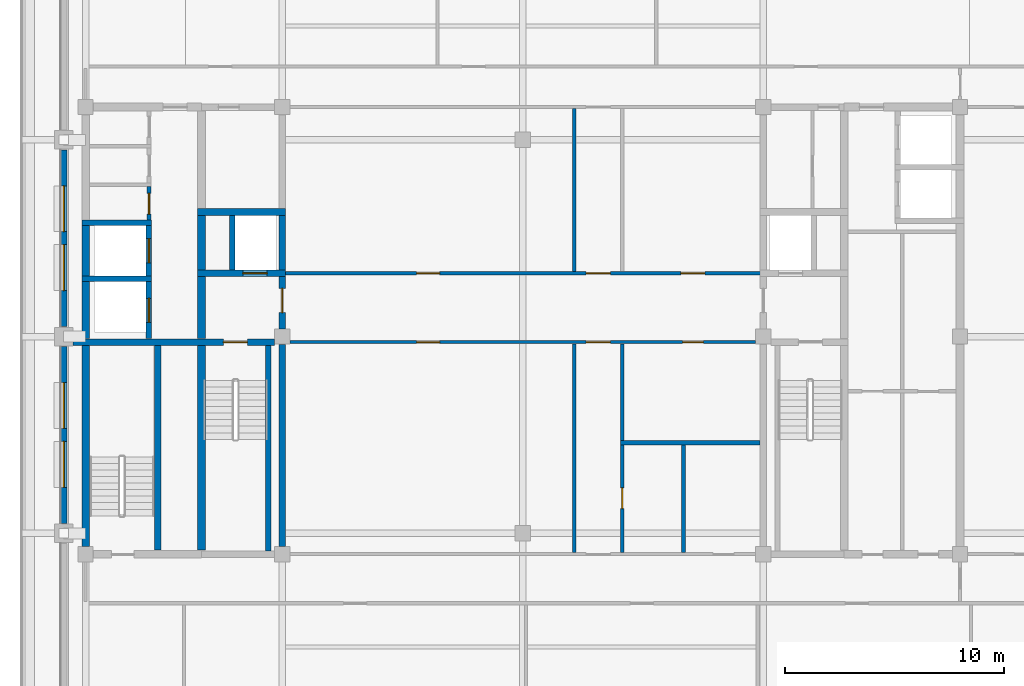
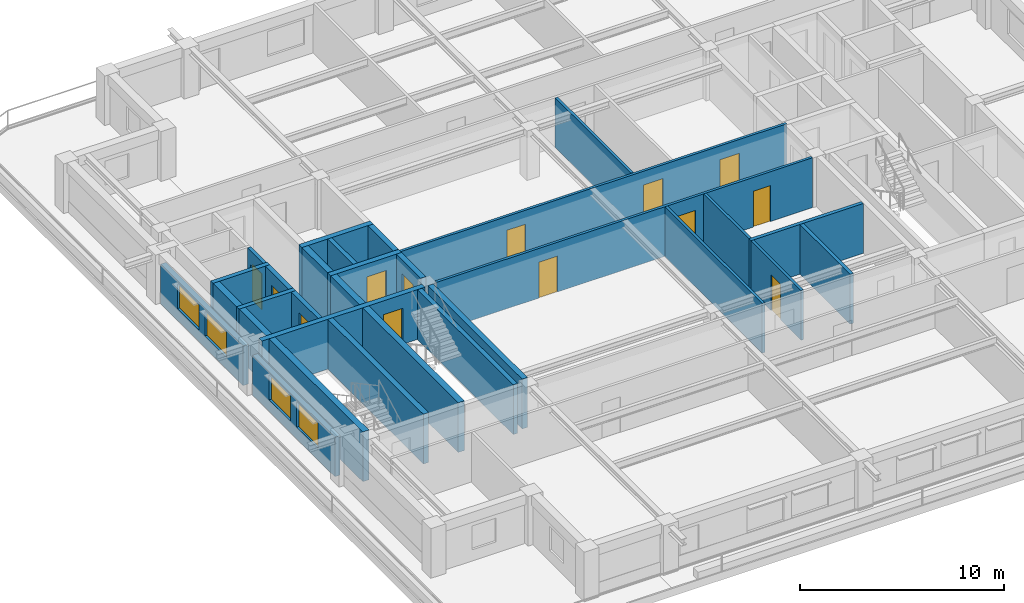
# One storey, part 3 of 11: 30 walls, 13 doors, 4 windows, 17 openings.
"""IFC4 building model written with IfcOpenShell, lengths in metres."""

from ifc_helpers import new_model, si_unit, direction, frame, frame_2d, origin, place, context, subcontext, project, spatial, rectangle, extrude, material, layer, layer_set, type_object, element, fill, save


model = new_model("IFC4")

# Units and contexts
model_context = context("Model", 3, precision=1e-05, world=origin(), true_north=direction((0.0, 1.0)))
body_context = subcontext(model_context, "Body", "Model", "MODEL_VIEW")
ifc_project = project(units=[si_unit("LENGTHUNIT", "METRE"), si_unit("AREAUNIT", "SQUARE_METRE"), si_unit("VOLUMEUNIT", "CUBIC_METRE"), si_unit("PLANEANGLEUNIT", "RADIAN"), si_unit("MASSUNIT", "GRAM", prefix="KILO")], contexts=[model_context])

# Site, building, storey
site_placement = place(None, origin())
site = spatial("IfcSite", under=ifc_project, at=site_placement, CompositionType="ELEMENT")
building_placement = place(site_placement, origin())
building = spatial("IfcBuilding", under=site, at=building_placement, Name="Zulmaris Gate Convention Tower", CompositionType="ELEMENT")
storey_placement = place(building_placement, frame((0.0, 0.0, 242.969970703125)))
storey = spatial("IfcBuildingStorey", under=building, at=storey_placement, Name="L64", CompositionType="ELEMENT", Elevation=242.969970703125)

# Walls
ifc_material_1 = material(Name="Concrete C50/60", Category="concrete")
ifc_layer_1 = layer(ifc_material_1, 0.25, Name="Concrete C50/60")
ifc_layer_set_1 = layer_set([ifc_layer_1], Name="Concrete C50/60")
wall_type_1 = type_object("IfcWallType", Name="CORE-250", PredefinedType="SOLIDWALL", material=ifc_layer_set_1)
for number, where, z_axis, x_axis, name in (
    (1, (-20.175048828125, 2.64990234375, 0.0), (0.0, 0.0, 1.0), (1.0, 0.0, 0.0), "WL-L64-007"),
    (2, (-20.175048828125, 5.199951171875, 0.0), (0.0, 0.0, 1.0), (1.0, 0.0, 0.0), "WL-L64-010"),
):
    element("IfcWall", number, at=place(storey_placement, frame(where, z_axis=z_axis, x_axis=x_axis)), inside=storey, type_object=wall_type_1, Name=name, PredefinedType="SOLIDWALL", context=body_context, shape_type="SweptSolid", body=[
        extrude(rectangle(XDim=3.199951171875, YDim=0.25, at=frame_2d((1.60009765625, 0.0))), origin(), (0.0, 0.0, 1.0), 2.97998046875),
    ])

# Wall, opening, door
wall_1_placement = place(storey_placement, frame((-17.10009765625, -0.097900390625, 0.0), z_axis=(0.0, 0.0, 1.0), x_axis=(0.0, 1.0, 0.0)))
wall_1 = element("IfcWall", 3, at=wall_1_placement, inside=storey, type_object=wall_type_1, Name="WL-L64-036", PredefinedType="SOLIDWALL", context=body_context, shape_type="SweptSolid", body=[
    extrude(rectangle(XDim=2.620849609375, YDim=0.25, at=frame_2d((1.310546875, 0.0))), origin(), (0.0, 0.0, 1.0), 2.97998046875),
])
opening_1_placement = place(wall_1_placement, frame((0.748046875, 0.0, 0.0)))
opening_1 = element("IfcOpeningElement", 4, at=opening_1_placement, cuts=wall_1, Name="Opening D-06", PredefinedType="OPENING", context=body_context, shape_type="SweptSolid", body=[
    extrude(rectangle(XDim=1.10009765625, YDim=2.199951171875, at=frame_2d((0.550048828125, 1.10009765625))), frame((0.0, 0.135009765625, 0.0), z_axis=(0.0, -1.0, 0.0), x_axis=(1.0, 0.0, 0.0)), (0.0, 0.0, 1.0), 0.27001953125),
])
ifc_material_2 = material(Name="Brushed Stainless Steel", Category="steel")
door_type_1 = type_object("IfcDoorType", Name="LD-1100", OperationType="NOTDEFINED", PredefinedType="DOOR", material=ifc_material_2)
door_1_placement = place(opening_1_placement, origin())
door_1 = element("IfcDoor", 5, at=door_1_placement, inside=storey, type_object=door_type_1, Name="L64 Lift Landing Door HP-03 11", OperationType="SLIDING_TO_LEFT", OverallHeight=2.199951171875, OverallWidth=1.10009765625, PredefinedType="DOOR", context=body_context, shape_type="SweptSolid", body=[
    extrude(rectangle(XDim=1.10009765625, YDim=2.199951171875, at=frame_2d((0.550048828125, 1.10009765625))), frame((0.0, 0.02490234375, 0.0), z_axis=(0.0, -1.0, 0.0), x_axis=(1.0, 0.0, 0.0)), (0.0, 0.0, 1.0), 0.050048828125),
])
fill(opening_1, door_1)

wall_2_placement = place(storey_placement, frame((-17.10009765625, 2.777099609375, 0.0), z_axis=(0.0, 0.0, 1.0), x_axis=(0.0, 1.0, 0.0)))
wall_2 = element("IfcWall", 6, at=wall_2_placement, inside=storey, type_object=wall_type_1, Name="WL-L64-037", PredefinedType="SOLIDWALL", context=body_context, shape_type="SweptSolid", body=[
    extrude(rectangle(XDim=2.2958984375, YDim=0.25, at=frame_2d((1.14794921875, 0.0))), origin(), (0.0, 0.0, 1.0), 2.97998046875),
])
opening_2_placement = place(wall_2_placement, frame((0.597900390625, 0.0, 0.0)))
opening_2 = element("IfcOpeningElement", 7, at=opening_2_placement, cuts=wall_2, Name="Opening D-06", PredefinedType="OPENING", context=body_context, shape_type="SweptSolid", body=[
    extrude(rectangle(XDim=1.10009765625, YDim=2.199951171875, at=frame_2d((0.550048828125, 1.10009765625))), frame((0.0, 0.135009765625, 0.0), z_axis=(0.0, -1.0, 0.0), x_axis=(1.0, 0.0, 0.0)), (0.0, 0.0, 1.0), 0.27001953125),
])
door_2_placement = place(opening_2_placement, origin())
door_2 = element("IfcDoor", 8, at=door_2_placement, inside=storey, type_object=door_type_1, Name="L64 Lift Landing Door HP-04 12", OperationType="SLIDING_TO_LEFT", OverallHeight=2.199951171875, OverallWidth=1.10009765625, PredefinedType="DOOR", context=body_context, shape_type="SweptSolid", body=[
    extrude(rectangle(XDim=1.10009765625, YDim=2.199951171875, at=frame_2d((0.550048828125, 1.10009765625))), frame((0.0, 0.02490234375, 0.0), z_axis=(0.0, -1.0, 0.0), x_axis=(1.0, 0.0, 0.0)), (0.0, 0.0, 1.0), 0.050048828125),
])
fill(opening_2, door_2)

# Walls
wall_3_placement = place(storey_placement, frame((-13.300048828125, 3.052001953125, 0.0), z_axis=(0.0, 0.0, 1.0), x_axis=(0.0, 1.0, 0.0)))
element("IfcWall", 9, at=wall_3_placement, inside=storey, type_object=wall_type_1, Name="WL-L64-043", PredefinedType="SOLIDWALL", context=body_context, shape_type="SweptSolid", body=[
    extrude(rectangle(XDim=2.49609375, YDim=0.25, at=frame_2d((1.248046875, 0.0))), origin(), (0.0, 0.0, 1.0), 2.97998046875),
])
wall_4_placement = place(storey_placement, frame((-11.64990234375, -9.798095703125, 0.0), z_axis=(0.0, 0.0, 1.0), x_axis=(0.0, 1.0, 0.0)))
element("IfcWall", 10, at=wall_4_placement, inside=storey, type_object=wall_type_1, Name="WL-L64-044", PredefinedType="SOLIDWALL", context=body_context, shape_type="SweptSolid", body=[
    extrude(rectangle(XDim=9.39599609375, YDim=0.25, at=frame_2d((4.697998046875, 0.0))), origin(), (0.0, 0.0, 1.0), 2.97998046875),
])

# Wall, opening, door
ifc_layer_2 = layer(ifc_material_1, 0.300048828125, Name="Concrete C50/60")
ifc_layer_set_2 = layer_set([ifc_layer_2], Name="Concrete C50/60")
wall_type_2 = type_object("IfcWallType", Name="CORE-300", PredefinedType="SHEAR", material=ifc_layer_set_2)
wall_5_placement = place(storey_placement, frame((-20.571044921875, -0.25, 0.0), z_axis=(0.0, 0.0, 1.0), x_axis=(1.0, 0.0, 0.0)))
wall_5 = element("IfcWall", 11, at=wall_5_placement, inside=storey, type_object=wall_type_2, Name="WL-L64-005", PredefinedType="SHEAR", context=body_context, shape_type="SweptSolid", body=[
    extrude(rectangle(XDim=9.217041015625, YDim=0.300048828125, at=frame_2d((4.6083984375, 0.0))), origin(), (0.0, 0.0, 1.0), 2.97998046875),
])
opening_3_placement = place(wall_5_placement, frame((6.87109375, 0.0, 0.0)))
opening_3 = element("IfcOpeningElement", 12, at=opening_3_placement, cuts=wall_5, Name="Opening D-08", PredefinedType="OPENING", context=body_context, shape_type="SweptSolid", body=[
    extrude(rectangle(XDim=1.10009765625, YDim=2.14990234375, at=frame_2d((0.550048828125, 1.074951171875))), frame((0.0, 0.16015625, 0.0), z_axis=(0.0, -1.0, 0.0), x_axis=(1.0, 0.0, 0.0)), (0.0, 0.0, 1.0), 0.320068359375),
])
ifc_material_3 = material(Name="Fire-Rated Steel", Category="steel")
door_type_2 = type_object("IfcDoorType", Name="DR-1100-FD", OperationType="NOTDEFINED", PredefinedType="DOOR", material=ifc_material_3)
door_3_placement = place(opening_3_placement, origin())
door_3 = element("IfcDoor", 13, at=door_3_placement, inside=storey, type_object=door_type_2, Name="L64 Exit Stair ST-1 Door 01", OperationType="SINGLE_SWING_LEFT", OverallHeight=2.14990234375, OverallWidth=1.10009765625, PredefinedType="DOOR", context=body_context, shape_type="SweptSolid", body=[
    extrude(rectangle(XDim=1.10009765625, YDim=2.14990234375, at=frame_2d((0.550048828125, 1.074951171875))), frame((0.0, 0.02490234375, 0.0), z_axis=(0.0, -1.0, 0.0), x_axis=(1.0, 0.0, 0.0)), (0.0, 0.0, 1.0), 0.050048828125),
])
fill(opening_3, door_3)

wall_6_placement = place(storey_placement, frame((-14.875, 2.89990234375, 0.0), z_axis=(0.0, 0.0, 1.0), x_axis=(1.0, 0.0, 0.0)))
wall_6 = element("IfcWall", 14, at=wall_6_placement, inside=storey, type_object=wall_type_2, Name="WL-L64-008", PredefinedType="SHEAR", context=body_context, shape_type="SweptSolid", body=[
    extrude(rectangle(XDim=4.02490234375, YDim=0.300048828125, at=frame_2d((2.012451171875, 0.0))), origin(), (0.0, 0.0, 1.0), 2.97998046875),
])
opening_4_placement = place(wall_6_placement, frame((2.074951171875, 0.0, 0.0)))
opening_4 = element("IfcOpeningElement", 15, at=opening_4_placement, cuts=wall_6, Name="Opening D-06", PredefinedType="OPENING", context=body_context, shape_type="SweptSolid", body=[
    extrude(rectangle(XDim=1.10009765625, YDim=2.199951171875, at=frame_2d((0.550048828125, 1.10009765625))), frame((0.0, 0.16015625, 0.0), z_axis=(0.0, -1.0, 0.0), x_axis=(1.0, 0.0, 0.0)), (0.0, 0.0, 1.0), 0.320068359375),
])
door_4_placement = place(opening_4_placement, origin())
door_4 = element("IfcDoor", 16, at=door_4_placement, inside=storey, type_object=door_type_1, Name="L64 Lift Landing Door LF-01 03", OperationType="SLIDING_TO_LEFT", OverallHeight=2.199951171875, OverallWidth=1.10009765625, PredefinedType="DOOR", context=body_context, shape_type="SweptSolid", body=[
    extrude(rectangle(XDim=1.10009765625, YDim=2.199951171875, at=frame_2d((0.550048828125, 1.10009765625))), frame((0.0, 0.02490234375, 0.0), z_axis=(0.0, -1.0, 0.0), x_axis=(1.0, 0.0, 0.0)), (0.0, 0.0, 1.0), 0.050048828125),
])
fill(opening_4, door_4)

# Walls
wall_7_placement = place(storey_placement, frame((-14.875, 5.699951171875, 0.0), z_axis=(0.0, 0.0, 1.0), x_axis=(1.0, 0.0, 0.0)))
element("IfcWall", 17, at=wall_7_placement, inside=storey, type_object=wall_type_2, Name="WL-L64-012", PredefinedType="SHEAR", context=body_context, shape_type="SweptSolid", body=[
    extrude(rectangle(XDim=4.02490234375, YDim=0.300048828125, at=frame_2d((2.012451171875, 0.0))), origin(), (0.0, 0.0, 1.0), 2.97998046875),
])
wall_8_placement = place(storey_placement, frame((-16.699951171875, -9.77294921875, 0.0), z_axis=(0.0, 0.0, 1.0), x_axis=(0.0, 1.0, 0.0)))
element("IfcWall", 18, at=wall_8_placement, inside=storey, type_object=wall_type_2, Name="WL-L64-038", PredefinedType="SHEAR", context=body_context, shape_type="SweptSolid", body=[
    extrude(rectangle(XDim=9.370849609375, YDim=0.300048828125, at=frame_2d((4.685546875, 0.0))), origin(), (0.0, 0.0, 1.0), 2.97998046875),
])
wall_9_placement = place(storey_placement, frame((-11.0, -9.595947265625, 0.0), z_axis=(0.0, 0.0, 1.0), x_axis=(0.0, 1.0, 0.0)))
element("IfcWall", 19, at=wall_9_placement, inside=storey, type_object=wall_type_2, Name="WL-L64-045", PredefinedType="SHEAR", context=body_context, shape_type="SweptSolid", body=[
    extrude(rectangle(XDim=9.241943359375, YDim=0.300048828125, at=frame_2d((4.62109375, 0.0))), origin(), (0.0, 0.0, 1.0), 2.97998046875),
])

# Wall, opening, door
wall_10_placement = place(storey_placement, frame((-11.0, 0.35400390625, 0.0), z_axis=(0.0, 0.0, 1.0), x_axis=(0.0, 1.0, 0.0)))
wall_10 = element("IfcWall", 20, at=wall_10_placement, inside=storey, type_object=wall_type_2, Name="WL-L64-046", PredefinedType="SHEAR", context=body_context, shape_type="SweptSolid", body=[
    extrude(rectangle(XDim=2.39404296875, YDim=0.300048828125, at=frame_2d((1.197021484375, 0.0))), origin(), (0.0, 0.0, 1.0), 2.97998046875),
])
opening_5_placement = place(wall_10_placement, frame((0.74609375, 0.0, 0.0)))
opening_5 = element("IfcOpeningElement", 21, at=opening_5_placement, cuts=wall_10, Name="Opening D-08", PredefinedType="OPENING", context=body_context, shape_type="SweptSolid", body=[
    extrude(rectangle(XDim=1.10009765625, YDim=2.14990234375, at=frame_2d((0.550048828125, 1.074951171875))), frame((0.0, 0.16015625, 0.0), z_axis=(0.0, -1.0, 0.0), x_axis=(1.0, 0.0, 0.0)), (0.0, 0.0, 1.0), 0.320068359375),
])
door_5_placement = place(opening_5_placement, origin())
door_5 = element("IfcDoor", 22, at=door_5_placement, inside=storey, type_object=door_type_2, Name="L64 West Firefighting Lobby Door 02", OperationType="SINGLE_SWING_RIGHT", OverallHeight=2.14990234375, OverallWidth=1.10009765625, PredefinedType="DOOR", context=body_context, shape_type="SweptSolid", body=[
    extrude(rectangle(XDim=1.10009765625, YDim=2.14990234375, at=frame_2d((0.550048828125, 1.074951171875))), frame((0.0, 0.02490234375, 0.0), z_axis=(0.0, -1.0, 0.0), x_axis=(1.0, 0.0, 0.0)), (0.0, 0.0, 1.0), 0.050048828125),
])
fill(opening_5, door_5)

# Walls
wall_11_placement = place(storey_placement, frame((-11.0, 3.052001953125, 0.0), z_axis=(0.0, 0.0, 1.0), x_axis=(0.0, 1.0, 0.0)))
element("IfcWall", 23, at=wall_11_placement, inside=storey, type_object=wall_type_2, Name="WL-L64-047", PredefinedType="SHEAR", context=body_context, shape_type="SweptSolid", body=[
    extrude(rectangle(XDim=2.49609375, YDim=0.300048828125, at=frame_2d((1.248046875, 0.0))), origin(), (0.0, 0.0, 1.0), 2.97998046875),
])
ifc_material_4 = material(Name="Concrete C55/67", Category="concrete")
ifc_layer_3 = layer(ifc_material_4, 0.35009765625, Name="Concrete C55/67")
ifc_layer_set_3 = layer_set([ifc_layer_3], Name="Concrete C55/67")
wall_type_3 = type_object("IfcWallType", Name="CORE-350", PredefinedType="SHEAR", material=ifc_layer_set_3)
wall_12_placement = place(storey_placement, frame((-20.0, -9.595947265625, 0.0), z_axis=(0.0, 0.0, 1.0), x_axis=(0.0, 1.0, 0.0)))
element("IfcWall", 24, at=wall_12_placement, inside=storey, type_object=wall_type_3, Name="WL-L64-032", PredefinedType="SHEAR", context=body_context, shape_type="SweptSolid", body=[
    extrude(rectangle(XDim=9.19384765625, YDim=0.35009765625, at=frame_2d((4.596923828125, 0.0))), origin(), (0.0, 0.0, 1.0), 2.97998046875),
])
wall_13_placement = place(storey_placement, frame((-20.0, -0.097900390625, 0.0), z_axis=(0.0, 0.0, 1.0), x_axis=(0.0, 1.0, 0.0)))
element("IfcWall", 25, at=wall_13_placement, inside=storey, type_object=wall_type_3, Name="WL-L64-033", PredefinedType="SHEAR", context=body_context, shape_type="SweptSolid", body=[
    extrude(rectangle(XDim=2.620849609375, YDim=0.35009765625, at=frame_2d((1.310546875, 0.0))), origin(), (0.0, 0.0, 1.0), 2.97998046875),
])
wall_14_placement = place(storey_placement, frame((-20.0, 2.777099609375, 0.0), z_axis=(0.0, 0.0, 1.0), x_axis=(0.0, 1.0, 0.0)))
element("IfcWall", 26, at=wall_14_placement, inside=storey, type_object=wall_type_3, Name="WL-L64-034", PredefinedType="SHEAR", context=body_context, shape_type="SweptSolid", body=[
    extrude(rectangle(XDim=2.2958984375, YDim=0.35009765625, at=frame_2d((1.14794921875, 0.0))), origin(), (0.0, 0.0, 1.0), 2.97998046875),
])
wall_15_placement = place(storey_placement, frame((-14.699951171875, -9.77294921875, 0.0), z_axis=(0.0, 0.0, 1.0), x_axis=(0.0, 1.0, 0.0)))
element("IfcWall", 27, at=wall_15_placement, inside=storey, type_object=wall_type_3, Name="WL-L64-039", PredefinedType="SHEAR", context=body_context, shape_type="SweptSolid", body=[
    extrude(rectangle(XDim=9.370849609375, YDim=0.35009765625, at=frame_2d((4.685546875, 0.0))), origin(), (0.0, 0.0, 1.0), 2.97998046875),
])
wall_16_placement = place(storey_placement, frame((-14.699951171875, -0.097900390625, 0.0), z_axis=(0.0, 0.0, 1.0), x_axis=(0.0, 1.0, 0.0)))
element("IfcWall", 28, at=wall_16_placement, inside=storey, type_object=wall_type_3, Name="WL-L64-040", PredefinedType="SHEAR", context=body_context, shape_type="SweptSolid", body=[
    extrude(rectangle(XDim=2.845947265625, YDim=0.35009765625, at=frame_2d((1.4228515625, 0.0))), origin(), (0.0, 0.0, 1.0), 2.97998046875),
])
wall_17_placement = place(storey_placement, frame((-14.699951171875, 3.052001953125, 0.0), z_axis=(0.0, 0.0, 1.0), x_axis=(0.0, 1.0, 0.0)))
element("IfcWall", 29, at=wall_17_placement, inside=storey, type_object=wall_type_3, Name="WL-L64-041", PredefinedType="SHEAR", context=body_context, shape_type="SweptSolid", body=[
    extrude(rectangle(XDim=2.49609375, YDim=0.35009765625, at=frame_2d((1.248046875, 0.0))), origin(), (0.0, 0.0, 1.0), 2.97998046875),
])

# Wall, openings, doors
ifc_material_5 = material(Name="Gypsum Metal Stud Partition")
ifc_layer_4 = layer(ifc_material_5, 0.14990234375, Name="Gypsum Metal Stud Partition")
ifc_layer_set_4 = layer_set([ifc_layer_4], Name="Gypsum Metal Stud Partition")
wall_type_4 = type_object("IfcWallType", Name="PART-150", PredefinedType="PARTITIONING", material=ifc_layer_set_4)
wall_18_placement = place(storey_placement, frame((-10.64404296875, -0.25, 0.0), z_axis=(0.0, 0.0, 1.0), x_axis=(1.0, 0.0, 0.0)))
wall_18 = element("IfcWall", 30, at=wall_18_placement, inside=storey, type_object=wall_type_4, Name="WL-L64-024", PredefinedType="PARTITIONING", context=body_context, shape_type="SweptSolid", body=[
    extrude(rectangle(XDim=21.2880859375, YDim=0.14990234375, at=frame_2d((10.64404296875, 0.0))), origin(), (0.0, 0.0, 1.0), 2.97998046875),
])
opening_6_placement = place(wall_18_placement, frame((13.5439453125, 0.0, 0.0)))
opening_6 = element("IfcOpeningElement", 31, at=opening_6_placement, cuts=wall_18, Name="Opening D-08", PredefinedType="OPENING", context=body_context, shape_type="SweptSolid", body=[
    extrude(rectangle(XDim=1.10009765625, YDim=2.14990234375, at=frame_2d((0.550048828125, 1.074951171875))), frame((0.0, 0.0849609375, 0.0), z_axis=(0.0, -1.0, 0.0), x_axis=(1.0, 0.0, 0.0)), (0.0, 0.0, 1.0), 0.169921875),
])
opening_7_placement = place(wall_18_placement, frame((5.7890625, 0.0, 0.0)))
opening_7 = element("IfcOpeningElement", 32, at=opening_7_placement, cuts=wall_18, Name="Opening D-09", PredefinedType="OPENING", context=body_context, shape_type="SweptSolid", body=[
    extrude(rectangle(XDim=1.050048828125, YDim=2.14990234375, at=frame_2d((0.52490234375, 1.074951171875))), frame((0.0, 0.0849609375, 0.0), z_axis=(0.0, -1.0, 0.0), x_axis=(1.0, 0.0, 0.0)), (0.0, 0.0, 1.0), 0.169921875),
])
opening_8_placement = place(wall_18_placement, frame((17.948974609375, 0.0, 0.0)))
opening_8 = element("IfcOpeningElement", 33, at=opening_8_placement, cuts=wall_18, Name="Opening D-11", PredefinedType="OPENING", context=body_context, shape_type="SweptSolid", body=[
    extrude(rectangle(XDim=0.949951171875, YDim=2.14990234375, at=frame_2d((0.47509765625, 1.074951171875))), frame((0.0, 0.0849609375, 0.0), z_axis=(0.0, -1.0, 0.0), x_axis=(1.0, 0.0, 0.0)), (0.0, 0.0, 1.0), 0.169921875),
])
door_type_3 = type_object("IfcDoorType", Name="DR-1050-FD", OperationType="NOTDEFINED", PredefinedType="DOOR", material=ifc_material_3)
door_6_placement = place(opening_7_placement, origin())
door_6 = element("IfcDoor", 34, at=door_6_placement, inside=storey, type_object=door_type_3, Name="L64 Sky Library Door 36", OperationType="SINGLE_SWING_RIGHT", OverallHeight=2.14990234375, OverallWidth=1.050048828125, PredefinedType="DOOR", context=body_context, shape_type="SweptSolid", body=[
    extrude(rectangle(XDim=1.050048828125, YDim=2.14990234375, at=frame_2d((0.52490234375, 1.074951171875))), frame((0.0, 0.02490234375, 0.0), z_axis=(0.0, -1.0, 0.0), x_axis=(1.0, 0.0, 0.0)), (0.0, 0.0, 1.0), 0.050048828125),
])
fill(opening_7, door_6)
door_7_placement = place(opening_6_placement, origin())
door_7 = element("IfcDoor", 35, at=door_7_placement, inside=storey, type_object=door_type_2, Name="L64 Exec Cross South Door 27", OperationType="SINGLE_SWING_LEFT", OverallHeight=2.14990234375, OverallWidth=1.10009765625, PredefinedType="DOOR", context=body_context, shape_type="SweptSolid", body=[
    extrude(rectangle(XDim=1.10009765625, YDim=2.14990234375, at=frame_2d((0.550048828125, 1.074951171875))), frame((0.0, 0.02490234375, 0.0), z_axis=(0.0, -1.0, 0.0), x_axis=(1.0, 0.0, 0.0)), (0.0, 0.0, 1.0), 0.050048828125),
])
fill(opening_6, door_7)
ifc_material_6 = material(Name="Fire-Rated Timber", Category="wood")
door_type_4 = type_object("IfcDoorType", Name="DR-950-FD", OperationType="NOTDEFINED", PredefinedType="DOOR", material=ifc_material_6)
door_8_placement = place(opening_8_placement, origin())
door_8 = element("IfcDoor", 36, at=door_8_placement, inside=storey, type_object=door_type_4, Name="L64 Public WC Door 37", OperationType="SINGLE_SWING_LEFT", OverallHeight=2.14990234375, OverallWidth=0.949951171875, PredefinedType="DOOR", context=body_context, shape_type="SweptSolid", body=[
    extrude(rectangle(XDim=0.949951171875, YDim=2.14990234375, at=frame_2d((0.47509765625, 1.074951171875))), frame((0.0, 0.02490234375, 0.0), z_axis=(0.0, -1.0, 0.0), x_axis=(1.0, 0.0, 0.0)), (0.0, 0.0, 1.0), 0.050048828125),
])
fill(opening_8, door_8)

wall_19_placement = place(storey_placement, frame((-11.0, 2.89990234375, 0.0), z_axis=(0.0, 0.0, 1.0), x_axis=(1.0, 0.0, 0.0)))
wall_19 = element("IfcWall", 37, at=wall_19_placement, inside=storey, type_object=wall_type_4, Name="WL-L64-025", PredefinedType="PARTITIONING", context=body_context, shape_type="SweptSolid", body=[
    extrude(rectangle(XDim=22.0, YDim=0.14990234375, at=frame_2d((11.0, 0.0))), origin(), (0.0, 0.0, 1.0), 2.97998046875),
])
opening_9_placement = place(wall_19_placement, frame((13.89990234375, 0.0, 0.0)))
opening_9 = element("IfcOpeningElement", 38, at=opening_9_placement, cuts=wall_19, Name="Opening D-08", PredefinedType="OPENING", context=body_context, shape_type="SweptSolid", body=[
    extrude(rectangle(XDim=1.10009765625, YDim=2.14990234375, at=frame_2d((0.550048828125, 1.074951171875))), frame((0.0, 0.0849609375, 0.0), z_axis=(0.0, -1.0, 0.0), x_axis=(1.0, 0.0, 0.0)), (0.0, 0.0, 1.0), 0.169921875),
])
opening_10_placement = place(wall_19_placement, frame((6.14501953125, 0.0, 0.0)))
opening_10 = element("IfcOpeningElement", 39, at=opening_10_placement, cuts=wall_19, Name="Opening D-09", PredefinedType="OPENING", context=body_context, shape_type="SweptSolid", body=[
    extrude(rectangle(XDim=1.050048828125, YDim=2.14990234375, at=frame_2d((0.52490234375, 1.074951171875))), frame((0.0, 0.0849609375, 0.0), z_axis=(0.0, -1.0, 0.0), x_axis=(1.0, 0.0, 0.0)), (0.0, 0.0, 1.0), 0.169921875),
])
opening_11_placement = place(wall_19_placement, frame((18.22998046875, 0.0, 0.0)))
opening_11 = element("IfcOpeningElement", 40, at=opening_11_placement, cuts=wall_19, Name="Opening D-08", PredefinedType="OPENING", context=body_context, shape_type="SweptSolid", body=[
    extrude(rectangle(XDim=1.10009765625, YDim=2.14990234375, at=frame_2d((0.550048828125, 1.074951171875))), frame((0.0, 0.0849609375, 0.0), z_axis=(0.0, -1.0, 0.0), x_axis=(1.0, 0.0, 0.0)), (0.0, 0.0, 1.0), 0.169921875),
])
door_9_placement = place(opening_10_placement, origin())
door_9 = element("IfcDoor", 41, at=door_9_placement, inside=storey, type_object=door_type_3, Name="L64 Reception Door 34", OperationType="SINGLE_SWING_RIGHT", OverallHeight=2.14990234375, OverallWidth=1.050048828125, PredefinedType="DOOR", context=body_context, shape_type="SweptSolid", body=[
    extrude(rectangle(XDim=1.050048828125, YDim=2.14990234375, at=frame_2d((0.52490234375, 1.074951171875))), frame((0.0, 0.02490234375, 0.0), z_axis=(0.0, -1.0, 0.0), x_axis=(1.0, 0.0, 0.0)), (0.0, 0.0, 1.0), 0.050048828125),
])
fill(opening_10, door_9)
door_10_placement = place(opening_9_placement, origin())
door_10 = element("IfcDoor", 42, at=door_10_placement, inside=storey, type_object=door_type_2, Name="L64 Exec Cross North Door 26", OperationType="SINGLE_SWING_RIGHT", OverallHeight=2.14990234375, OverallWidth=1.10009765625, PredefinedType="DOOR", context=body_context, shape_type="SweptSolid", body=[
    extrude(rectangle(XDim=1.10009765625, YDim=2.14990234375, at=frame_2d((0.550048828125, 1.074951171875))), frame((0.0, 0.02490234375, 0.0), z_axis=(0.0, -1.0, 0.0), x_axis=(1.0, 0.0, 0.0)), (0.0, 0.0, 1.0), 0.050048828125),
])
fill(opening_9, door_10)
door_11_placement = place(opening_11_placement, origin())
door_11 = element("IfcDoor", 43, at=door_11_placement, inside=storey, type_object=door_type_2, Name="L64 Townhall Forum Door 35", OperationType="SINGLE_SWING_LEFT", OverallHeight=2.14990234375, OverallWidth=1.10009765625, PredefinedType="DOOR", context=body_context, shape_type="SweptSolid", body=[
    extrude(rectangle(XDim=1.10009765625, YDim=2.14990234375, at=frame_2d((0.550048828125, 1.074951171875))), frame((0.0, 0.02490234375, 0.0), z_axis=(0.0, -1.0, 0.0), x_axis=(1.0, 0.0, 0.0)), (0.0, 0.0, 1.0), 0.050048828125),
])
fill(opening_11, door_11)

# Walls
wall_20_placement = place(storey_placement, frame((2.35009765625, -9.8720703125, 0.0), z_axis=(0.0, 0.0, 1.0), x_axis=(0.0, 1.0, 0.0)))
element("IfcWall", 44, at=wall_20_placement, inside=storey, type_object=wall_type_4, Name="WL-L64-072", PredefinedType="PARTITIONING", context=body_context, shape_type="SweptSolid", body=[
    extrude(rectangle(XDim=9.544189453125, YDim=0.14990234375, at=frame_2d((4.77197265625, 0.0))), origin(), (0.0, 0.0, 1.0), 2.97998046875),
])
wall_21_placement = place(storey_placement, frame((2.35009765625, 2.97802734375, 0.0), z_axis=(0.0, 0.0, 1.0), x_axis=(0.0, 1.0, 0.0)))
element("IfcWall", 45, at=wall_21_placement, inside=storey, type_object=wall_type_4, Name="WL-L64-073", PredefinedType="PARTITIONING", context=body_context, shape_type="SweptSolid", body=[
    extrude(rectangle(XDim=7.444091796875, YDim=0.14990234375, at=frame_2d((3.72216796875, 0.0))), origin(), (0.0, 0.0, 1.0), 2.97998046875),
])

# Wall, opening, door
wall_22_placement = place(storey_placement, frame((4.550048828125, -9.8720703125, 0.0), z_axis=(0.0, 0.0, 1.0), x_axis=(0.0, 1.0, 0.0)))
wall_22 = element("IfcWall", 46, at=wall_22_placement, inside=storey, type_object=wall_type_4, Name="WL-L64-074", PredefinedType="PARTITIONING", context=body_context, shape_type="SweptSolid", body=[
    extrude(rectangle(XDim=4.919189453125, YDim=0.14990234375, at=frame_2d((2.45947265625, 0.0))), origin(), (0.0, 0.0, 1.0), 2.97998046875),
])
opening_12_placement = place(wall_22_placement, frame((1.9970703125, 0.0, 0.0)))
opening_12 = element("IfcOpeningElement", 47, at=opening_12_placement, cuts=wall_22, Name="Opening D-11", PredefinedType="OPENING", context=body_context, shape_type="SweptSolid", body=[
    extrude(rectangle(XDim=0.949951171875, YDim=2.14990234375, at=frame_2d((0.47509765625, 1.074951171875))), frame((0.0, 0.0849609375, 0.0), z_axis=(0.0, -1.0, 0.0), x_axis=(1.0, 0.0, 0.0)), (0.0, 0.0, 1.0), 0.169921875),
])
door_12_placement = place(opening_12_placement, origin())
door_12 = element("IfcDoor", 48, at=door_12_placement, inside=storey, type_object=door_type_4, Name="L64 Accessible WC Door 38", OperationType="SINGLE_SWING_RIGHT", OverallHeight=2.14990234375, OverallWidth=0.949951171875, PredefinedType="DOOR", context=body_context, shape_type="SweptSolid", body=[
    extrude(rectangle(XDim=0.949951171875, YDim=2.14990234375, at=frame_2d((0.47509765625, 1.074951171875))), frame((0.0, 0.02490234375, 0.0), z_axis=(0.0, -1.0, 0.0), x_axis=(1.0, 0.0, 0.0)), (0.0, 0.0, 1.0), 0.050048828125),
])
fill(opening_12, door_12)

# Walls
wall_23_placement = place(storey_placement, frame((4.550048828125, -4.7470703125, 0.0), z_axis=(0.0, 0.0, 1.0), x_axis=(0.0, 1.0, 0.0)))
element("IfcWall", 49, at=wall_23_placement, inside=storey, type_object=wall_type_4, Name="WL-L64-075", PredefinedType="PARTITIONING", context=body_context, shape_type="SweptSolid", body=[
    extrude(rectangle(XDim=4.419189453125, YDim=0.14990234375, at=frame_2d((2.20947265625, 0.0))), origin(), (0.0, 0.0, 1.0), 2.97998046875),
])
ifc_material_7 = material(Name="Autoclaved Aerated Concrete Block and Plasterboard", Category="concrete")
ifc_layer_5 = layer(ifc_material_7, 0.199951171875, Name="Autoclaved Aerated Concrete Block and Plasterboard")
ifc_layer_set_5 = layer_set([ifc_layer_5], Name="Autoclaved Aerated Concrete Block and Plasterboard")
wall_type_5 = type_object("IfcWallType", Name="PART-200", PredefinedType="PARTITIONING", material=ifc_layer_set_5)
wall_24_placement = place(storey_placement, frame((4.47509765625, -4.85009765625, 0.0), z_axis=(0.0, 0.0, 1.0), x_axis=(1.0, 0.0, 0.0)))
element("IfcWall", 50, at=wall_24_placement, inside=storey, type_object=wall_type_5, Name="WL-L64-022", PredefinedType="PARTITIONING", context=body_context, shape_type="SweptSolid", body=[
    extrude(rectangle(XDim=6.371826171875, YDim=0.199951171875, at=frame_2d((3.18603515625, 0.0))), origin(), (0.0, 0.0, 1.0), 2.97998046875),
])

# Wall, opening, door
wall_25_placement = place(storey_placement, frame((-17.10009765625, 5.327880859375, 0.0), z_axis=(0.0, 0.0, 1.0), x_axis=(0.0, 1.0, 0.0)))
wall_25 = element("IfcWall", 51, at=wall_25_placement, inside=storey, type_object=wall_type_5, Name="WL-L64-066", PredefinedType="PARTITIONING", context=body_context, shape_type="SweptSolid", body=[
    extrude(rectangle(XDim=1.544189453125, YDim=0.199951171875, at=frame_2d((0.77197265625, 0.0))), origin(), (0.0, 0.0, 1.0), 2.97998046875),
])
opening_13_placement = place(wall_25_placement, frame((0.277099609375, 0.0, 0.0)))
opening_13 = element("IfcOpeningElement", 52, at=opening_13_placement, cuts=wall_25, Name="Opening D-11", PredefinedType="OPENING", context=body_context, shape_type="SweptSolid", body=[
    extrude(rectangle(XDim=0.949951171875, YDim=2.14990234375, at=frame_2d((0.47509765625, 1.074951171875))), frame((0.0, 0.10986328125, 0.0), z_axis=(0.0, -1.0, 0.0), x_axis=(1.0, 0.0, 0.0)), (0.0, 0.0, 1.0), 0.219970703125),
])
door_13_placement = place(opening_13_placement, origin())
door_13 = element("IfcDoor", 53, at=door_13_placement, inside=storey, type_object=door_type_4, Name="L64 Linen Closet Door 16", OperationType="SINGLE_SWING_RIGHT", OverallHeight=2.14990234375, OverallWidth=0.949951171875, PredefinedType="DOOR", context=body_context, shape_type="SweptSolid", body=[
    extrude(rectangle(XDim=0.949951171875, YDim=2.14990234375, at=frame_2d((0.47509765625, 1.074951171875))), frame((0.0, 0.02490234375, 0.0), z_axis=(0.0, -1.0, 0.0), x_axis=(1.0, 0.0, 0.0)), (0.0, 0.0, 1.0), 0.050048828125),
])
fill(opening_13, door_13)

# Wall
wall_26_placement = place(storey_placement, frame((7.35009765625, -9.8720703125, 0.0), z_axis=(0.0, 0.0, 1.0), x_axis=(0.0, 1.0, 0.0)))
element("IfcWall", 54, at=wall_26_placement, inside=storey, type_object=wall_type_5, Name="WL-L64-078", PredefinedType="PARTITIONING", context=body_context, shape_type="SweptSolid", body=[
    extrude(rectangle(XDim=4.919189453125, YDim=0.199951171875, at=frame_2d((2.45947265625, 0.0))), origin(), (0.0, 0.0, 1.0), 2.97998046875),
])

# Wall, openings, windows
ifc_material_8 = material(Name="Precast concrete C40/50", Category="concrete")
ifc_layer_6 = layer(ifc_material_8, 0.300048828125, Name="Precast concrete C40/50")
ifc_layer_set_6 = layer_set([ifc_layer_6], Name="Precast concrete C40/50")
wall_type_6 = type_object("IfcWallType", Name="PRECAST-PIER-300", PredefinedType="STANDARD", material=ifc_layer_set_6)
wall_27_placement = place(storey_placement, frame((-21.0, -0.455078125, 0.0), z_axis=(0.0, 0.0, 1.0), x_axis=(0.0, -1.0, 0.0)))
wall_27 = element("IfcWall", 55, at=wall_27_placement, inside=storey, type_object=wall_type_6, Name="EW-L64-W-1_0", PredefinedType="STANDARD", context=body_context, shape_type="SweptSolid", body=[
    extrude(rectangle(XDim=8.08984375, YDim=0.300048828125, at=frame_2d((4.044921875, 0.0))), origin(), (0.0, 0.0, 1.0), 2.3720703125),
])
opening_14_placement = place(wall_27_placement, frame((1.64697265625, 0.0, 0.699951171875)))
opening_14 = element("IfcOpeningElement", 56, at=opening_14_placement, cuts=wall_27, Name="Opening W-05", PredefinedType="OPENING", context=body_context, shape_type="SweptSolid", body=[
    extrude(rectangle(XDim=2.10009765625, YDim=1.5, at=frame_2d((1.050048828125, 0.75))), frame((0.0, 0.16015625, 0.0), z_axis=(0.0, -1.0, 0.0), x_axis=(1.0, 0.0, 0.0)), (0.0, 0.0, 1.0), 0.320068359375),
])
opening_15_placement = place(wall_27_placement, frame((4.343017578125, 0.0, 0.699951171875)))
opening_15 = element("IfcOpeningElement", 57, at=opening_15_placement, cuts=wall_27, Name="Opening W-05", PredefinedType="OPENING", context=body_context, shape_type="SweptSolid", body=[
    extrude(rectangle(XDim=2.10009765625, YDim=1.5, at=frame_2d((1.050048828125, 0.75))), frame((0.0, 0.16015625, 0.0), z_axis=(0.0, -1.0, 0.0), x_axis=(1.0, 0.0, 0.0)), (0.0, 0.0, 1.0), 0.320068359375),
])
ifc_material_9 = material(Name="Low-E Laminated Double Glazing in Aluminium Frame", Category="aluminium")
window_type = type_object("IfcWindowType", Name="WIN-2100x2400", PartitioningType="SINGLE_PANEL", PredefinedType="WINDOW", material=ifc_material_9)
window_1_placement = place(opening_14_placement, origin())
window_1 = element("IfcWindow", 58, at=window_1_placement, inside=storey, type_object=window_type, Name="WN-EW-L64-W-1_0-1", OverallHeight=1.5, OverallWidth=2.10009765625, PartitioningType="SINGLE_PANEL", PredefinedType="WINDOW", context=body_context, shape_type="SweptSolid", body=[
    extrude(rectangle(XDim=2.10009765625, YDim=1.5, at=frame_2d((1.050048828125, 0.75))), frame((0.0, 0.030029296875, 0.0), z_axis=(0.0, -1.0, 0.0), x_axis=(1.0, 0.0, 0.0)), (0.0, 0.0, 1.0), 0.06005859375),
])
fill(opening_14, window_1)
window_2_placement = place(opening_15_placement, origin())
window_2 = element("IfcWindow", 59, at=window_2_placement, inside=storey, type_object=window_type, Name="WN-EW-L64-W-1_0-2", OverallHeight=1.5, OverallWidth=2.10009765625, PartitioningType="SINGLE_PANEL", PredefinedType="WINDOW", context=body_context, shape_type="SweptSolid", body=[
    extrude(rectangle(XDim=2.10009765625, YDim=1.5, at=frame_2d((1.050048828125, 0.75))), frame((0.0, 0.030029296875, 0.0), z_axis=(0.0, -1.0, 0.0), x_axis=(1.0, 0.0, 0.0)), (0.0, 0.0, 1.0), 0.06005859375),
])
fill(opening_15, window_2)

wall_28_placement = place(storey_placement, frame((-21.0, 8.544921875, 0.0), z_axis=(0.0, 0.0, 1.0), x_axis=(0.0, -1.0, 0.0)))
wall_28 = element("IfcWall", 60, at=wall_28_placement, inside=storey, type_object=wall_type_6, Name="EW-L64-W-2_0", PredefinedType="STANDARD", context=body_context, shape_type="SweptSolid", body=[
    extrude(rectangle(XDim=8.08984375, YDim=0.300048828125, at=frame_2d((4.044921875, 0.0))), origin(), (0.0, 0.0, 1.0), 2.3720703125),
])
opening_16_placement = place(wall_28_placement, frame((1.64697265625, 0.0, 0.699951171875)))
opening_16 = element("IfcOpeningElement", 61, at=opening_16_placement, cuts=wall_28, Name="Opening W-05", PredefinedType="OPENING", context=body_context, shape_type="SweptSolid", body=[
    extrude(rectangle(XDim=2.10009765625, YDim=1.5, at=frame_2d((1.050048828125, 0.75))), frame((0.0, 0.16015625, 0.0), z_axis=(0.0, -1.0, 0.0), x_axis=(1.0, 0.0, 0.0)), (0.0, 0.0, 1.0), 0.320068359375),
])
opening_17_placement = place(wall_28_placement, frame((4.343017578125, 0.0, 0.699951171875)))
opening_17 = element("IfcOpeningElement", 62, at=opening_17_placement, cuts=wall_28, Name="Opening W-05", PredefinedType="OPENING", context=body_context, shape_type="SweptSolid", body=[
    extrude(rectangle(XDim=2.10009765625, YDim=1.5, at=frame_2d((1.050048828125, 0.75))), frame((0.0, 0.16015625, 0.0), z_axis=(0.0, -1.0, 0.0), x_axis=(1.0, 0.0, 0.0)), (0.0, 0.0, 1.0), 0.320068359375),
])
window_3_placement = place(opening_16_placement, origin())
window_3 = element("IfcWindow", 63, at=window_3_placement, inside=storey, type_object=window_type, Name="WN-EW-L64-W-2_0-1", OverallHeight=1.5, OverallWidth=2.10009765625, PartitioningType="SINGLE_PANEL", PredefinedType="WINDOW", context=body_context, shape_type="SweptSolid", body=[
    extrude(rectangle(XDim=2.10009765625, YDim=1.5, at=frame_2d((1.050048828125, 0.75))), frame((0.0, 0.030029296875, 0.0), z_axis=(0.0, -1.0, 0.0), x_axis=(1.0, 0.0, 0.0)), (0.0, 0.0, 1.0), 0.06005859375),
])
fill(opening_16, window_3)
window_4_placement = place(opening_17_placement, origin())
window_4 = element("IfcWindow", 64, at=window_4_placement, inside=storey, type_object=window_type, Name="WN-EW-L64-W-2_0-2", OverallHeight=1.5, OverallWidth=2.10009765625, PartitioningType="SINGLE_PANEL", PredefinedType="WINDOW", context=body_context, shape_type="SweptSolid", body=[
    extrude(rectangle(XDim=2.10009765625, YDim=1.5, at=frame_2d((1.050048828125, 0.75))), frame((0.0, 0.030029296875, 0.0), z_axis=(0.0, -1.0, 0.0), x_axis=(1.0, 0.0, 0.0)), (0.0, 0.0, 1.0), 0.06005859375),
])
fill(opening_17, window_4)

save(model, "model.ifc")
